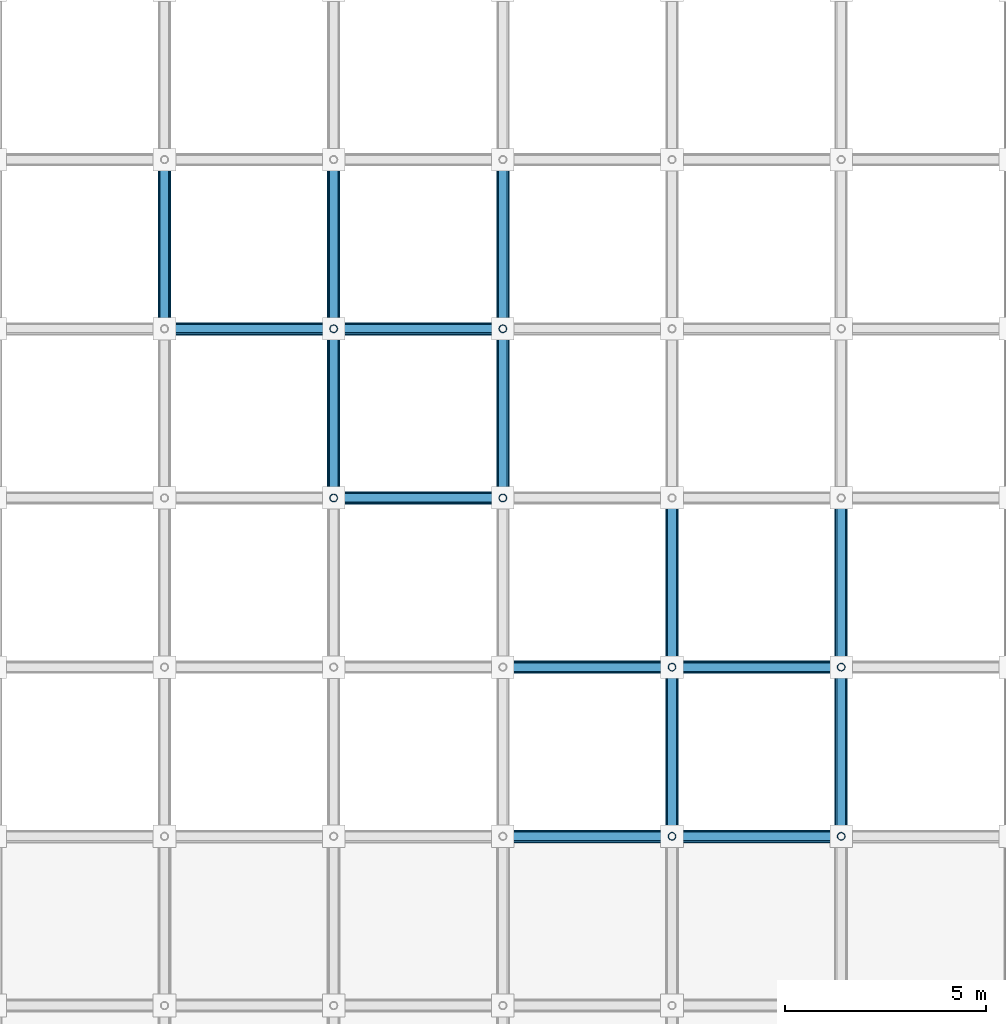
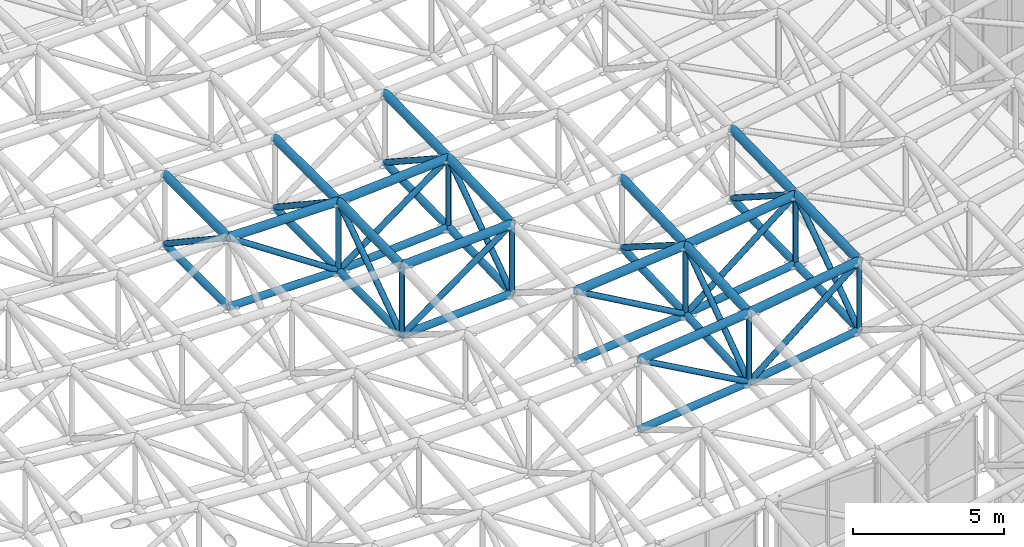
# One storey, part 19 of 93: 56 members.
"""IFC4 building model written with IfcOpenShell, lengths in metres."""

from ifc_helpers import new_model, si_unit, direction, frame, origin, origin_2d, place, context, subcontext, project, spatial, hollow_circle, extrude, material, material_profile, profile_set, type_object, element, save


model = new_model("IFC4")

# Units and contexts
model_context = context("Model", 3, precision=1e-05, world=origin(), true_north=direction((0.0, 1.0)))
body_context = subcontext(model_context, "Body", "Model", "MODEL_VIEW")
ifc_project = project(units=[si_unit("LENGTHUNIT", "METRE"), si_unit("AREAUNIT", "SQUARE_METRE"), si_unit("VOLUMEUNIT", "CUBIC_METRE"), si_unit("PLANEANGLEUNIT", "RADIAN"), si_unit("MASSUNIT", "GRAM", prefix="KILO")], contexts=[model_context])

# Site, building, storey
site_placement = place(None, origin())
site = spatial("IfcSite", under=ifc_project, at=site_placement, CompositionType="ELEMENT")
building_placement = place(site_placement, origin())
building = spatial("IfcBuilding", under=site, at=building_placement, Name="Cumbredor Promenade Congress Hotel", CompositionType="ELEMENT")
storey_placement = place(building_placement, frame((0.0, 0.0, 21.840087890625)))
storey = spatial("IfcBuildingStorey", under=building, at=storey_placement, Name="L06", CompositionType="ELEMENT", Elevation=21.840087890625)

# Members
ifc_material = material(Name="Steel ASTM A500 Grade C", Category="steel")
ifc_material_profile_1 = material_profile(ifc_material, hollow_circle(Radius=0.136474609375, WallThickness=0.01611328125, at=origin_2d()), Name="CHS 273.0x16")
ifc_profile_set_1 = profile_set([ifc_material_profile_1], Name="Steel ASTM A500 Grade C")
member_type_1 = type_object("IfcMemberType", Name="Plenary Roof Space Frame Bottom Chord", PredefinedType="CHORD", material=ifc_profile_set_1)
member_1_placement = place(storey_placement, frame((42.0, 16.800048828125, 7.62109375), z_axis=(0.99446833023, 0.0, 0.105036851481), x_axis=(0.0, 1.0, 0.0)))
element("IfcMember", 1, at=member_1_placement, inside=storey, type_object=member_type_1, Name="Plenary Congress Hall X Bottom Chord 12.5", PredefinedType="CHORD", context=body_context, shape_type="SweptSolid", body=[
    extrude(hollow_circle(Radius=0.136474609375, WallThickness=0.01611328125, at=origin_2d()), origin(), (0.0, 0.0, 1.0), 4.223388671875),
])
member_2_placement = place(storey_placement, frame((46.199951171875, 16.800048828125, 8.064697265625), z_axis=(0.989250033401, 0.0, 0.146233961224), x_axis=(0.0, 1.0, 0.0)))
element("IfcMember", 2, at=member_2_placement, inside=storey, type_object=member_type_1, Name="Plenary Congress Hall X Bottom Chord 13.5", PredefinedType="CHORD", context=body_context, shape_type="SweptSolid", body=[
    extrude(hollow_circle(Radius=0.136474609375, WallThickness=0.01611328125, at=origin_2d()), origin(), (0.0, 0.0, 1.0), 4.24560546875),
])
member_3_placement = place(storey_placement, frame((42.0, 21.0, 7.85400390625), z_axis=(0.995448277851, 0.0, 0.095303337419), x_axis=(0.0, 1.0, 0.0)))
element("IfcMember", 3, at=member_3_placement, inside=storey, type_object=member_type_1, Name="Plenary Congress Hall X Bottom Chord 12.6", PredefinedType="CHORD", context=body_context, shape_type="SweptSolid", body=[
    extrude(hollow_circle(Radius=0.136474609375, WallThickness=0.01611328125, at=origin_2d()), origin(), (0.0, 0.0, 1.0), 4.21923828125),
])
member_4_placement = place(storey_placement, frame((46.199951171875, 21.0, 8.256103515625), z_axis=(0.991135072385, 0.0, 0.132858075738), x_axis=(0.0, 1.0, 0.0)))
element("IfcMember", 4, at=member_4_placement, inside=storey, type_object=member_type_1, Name="Plenary Congress Hall X Bottom Chord 13.6", PredefinedType="CHORD", context=body_context, shape_type="SweptSolid", body=[
    extrude(hollow_circle(Radius=0.136474609375, WallThickness=0.01611328125, at=origin_2d()), origin(), (0.0, 0.0, 1.0), 4.237548828125),
])
member_5_placement = place(storey_placement, frame((37.800048828125, 25.199951171875, 7.80615234375), z_axis=(0.998597712555, 0.0, 0.052939668305), x_axis=(0.0, 1.0, 0.0)))
element("IfcMember", 5, at=member_5_placement, inside=storey, type_object=member_type_1, Name="Plenary Congress Hall X Bottom Chord 11.7", PredefinedType="CHORD", context=body_context, shape_type="SweptSolid", body=[
    extrude(hollow_circle(Radius=0.136474609375, WallThickness=0.01611328125, at=origin_2d()), origin(), (0.0, 0.0, 1.0), 4.205810546875),
])
member_6_placement = place(storey_placement, frame((33.60009765625, 29.39990234375, 7.864990234375), z_axis=(0.999999993242, 0.0, -0.000116258791), x_axis=(0.0, 1.0, 0.0)))
element("IfcMember", 6, at=member_6_placement, inside=storey, type_object=member_type_1, Name="Plenary Congress Hall X Bottom Chord 10.8", PredefinedType="CHORD", context=body_context, shape_type="SweptSolid", body=[
    extrude(hollow_circle(Radius=0.136474609375, WallThickness=0.01611328125, at=origin_2d()), origin(), (0.0, 0.0, 1.0), 4.199951171875),
])
member_7_placement = place(storey_placement, frame((37.800048828125, 29.39990234375, 7.864501953125), z_axis=(0.997776937839, 0.0, 0.06664219622), x_axis=(0.0, 1.0, 0.0)))
element("IfcMember", 7, at=member_7_placement, inside=storey, type_object=member_type_1, Name="Plenary Congress Hall X Bottom Chord 11.8", PredefinedType="CHORD", context=body_context, shape_type="SweptSolid", body=[
    extrude(hollow_circle(Radius=0.136474609375, WallThickness=0.01611328125, at=origin_2d()), origin(), (0.0, 0.0, 1.0), 4.209228515625),
])
member_8_placement = place(storey_placement, frame((33.60009765625, 29.39990234375, 7.864990234375), z_axis=(0.0, 0.999999998311, 5.8126017e-05), x_axis=(-1.0, 0.0, 0.0)))
element("IfcMember", 8, at=member_8_placement, inside=storey, type_object=member_type_1, Name="Plenary Congress Hall Y Bottom Chord 10.8", PredefinedType="CHORD", context=body_context, shape_type="SweptSolid", body=[
    extrude(hollow_circle(Radius=0.136474609375, WallThickness=0.01611328125, at=origin_2d()), origin(), (0.0, 0.0, 1.0), 4.2001953125),
])
member_9_placement = place(storey_placement, frame((37.800048828125, 25.199951171875, 7.80615234375), z_axis=(0.0, 0.999903507276, 0.013891585086), x_axis=(-1.0, 0.0, 0.0)))
element("IfcMember", 9, at=member_9_placement, inside=storey, type_object=member_type_1, Name="Plenary Congress Hall Y Bottom Chord 11.7", PredefinedType="CHORD", context=body_context, shape_type="SweptSolid", body=[
    extrude(hollow_circle(Radius=0.136474609375, WallThickness=0.01611328125, at=origin_2d()), origin(), (0.0, 0.0, 1.0), 4.200439453125),
])
member_10_placement = place(storey_placement, frame((37.800048828125, 29.39990234375, 7.864501953125), z_axis=(0.0, 1.0, 0.0), x_axis=(-1.0, 0.0, 0.0)))
element("IfcMember", 10, at=member_10_placement, inside=storey, type_object=member_type_1, Name="Plenary Congress Hall Y Bottom Chord 11.8", PredefinedType="CHORD", context=body_context, shape_type="SweptSolid", body=[
    extrude(hollow_circle(Radius=0.136474609375, WallThickness=0.01611328125, at=origin_2d()), origin(), (0.0, 0.0, 1.0), 4.2001953125),
])
member_11_placement = place(storey_placement, frame((42.0, 25.199951171875, 8.02880859375), z_axis=(0.0, 0.999617416492, 0.027659006583), x_axis=(-1.0, 0.0, 0.0)))
element("IfcMember", 11, at=member_11_placement, inside=storey, type_object=member_type_1, Name="Plenary Congress Hall Y Bottom Chord 12.7", PredefinedType="CHORD", context=body_context, shape_type="SweptSolid", body=[
    extrude(hollow_circle(Radius=0.136474609375, WallThickness=0.01611328125, at=origin_2d()), origin(), (0.0, 0.0, 1.0), 4.20166015625),
])
member_12_placement = place(storey_placement, frame((42.0, 29.39990234375, 8.14501953125), z_axis=(0.0, 0.999903518492, 0.01389077778), x_axis=(-1.0, 0.0, 0.0)))
element("IfcMember", 12, at=member_12_placement, inside=storey, type_object=member_type_1, Name="Plenary Congress Hall Y Bottom Chord 12.8", PredefinedType="CHORD", context=body_context, shape_type="SweptSolid", body=[
    extrude(hollow_circle(Radius=0.136474609375, WallThickness=0.01611328125, at=origin_2d()), origin(), (0.0, 0.0, 1.0), 4.20068359375),
])
member_13_placement = place(storey_placement, frame((46.199951171875, 16.800048828125, 8.064697265625), z_axis=(0.0, 0.998963145321, 0.045526193451), x_axis=(-1.0, 0.0, 0.0)))
element("IfcMember", 13, at=member_13_placement, inside=storey, type_object=member_type_1, Name="Plenary Congress Hall Y Bottom Chord 13.5", PredefinedType="CHORD", context=body_context, shape_type="SweptSolid", body=[
    extrude(hollow_circle(Radius=0.136474609375, WallThickness=0.01611328125, at=origin_2d()), origin(), (0.0, 0.0, 1.0), 4.204345703125),
])
member_14_placement = place(storey_placement, frame((46.199951171875, 21.0, 8.256103515625), z_axis=(0.0, 0.999416372229, 0.034160136422), x_axis=(-1.0, 0.0, 0.0)))
element("IfcMember", 14, at=member_14_placement, inside=storey, type_object=member_type_1, Name="Plenary Congress Hall Y Bottom Chord 13.6", PredefinedType="CHORD", context=body_context, shape_type="SweptSolid", body=[
    extrude(hollow_circle(Radius=0.136474609375, WallThickness=0.01611328125, at=origin_2d()), origin(), (0.0, 0.0, 1.0), 4.202392578125),
])
member_15_placement = place(storey_placement, frame((50.39990234375, 16.800048828125, 8.685546875), z_axis=(0.0, 0.999494865402, 0.031780717978), x_axis=(-1.0, 0.0, 0.0)))
element("IfcMember", 15, at=member_15_placement, inside=storey, type_object=member_type_1, Name="Plenary Congress Hall Y Bottom Chord 14.5", PredefinedType="CHORD", context=body_context, shape_type="SweptSolid", body=[
    extrude(hollow_circle(Radius=0.136474609375, WallThickness=0.01611328125, at=origin_2d()), origin(), (0.0, 0.0, 1.0), 4.2021484375),
])
member_16_placement = place(storey_placement, frame((50.39990234375, 21.0, 8.819091796875), z_axis=(0.0, 0.99971611374, 0.023826286498), x_axis=(-1.0, 0.0, 0.0)))
element("IfcMember", 16, at=member_16_placement, inside=storey, type_object=member_type_1, Name="Plenary Congress Hall Y Bottom Chord 14.6", PredefinedType="CHORD", context=body_context, shape_type="SweptSolid", body=[
    extrude(hollow_circle(Radius=0.136474609375, WallThickness=0.01611328125, at=origin_2d()), origin(), (0.0, 0.0, 1.0), 4.201171875),
])
ifc_material_profile_2 = material_profile(ifc_material, hollow_circle(Radius=0.161865234375, WallThickness=0.01611328125, at=origin_2d()), Name="CHS 323.9x16")
ifc_profile_set_2 = profile_set([ifc_material_profile_2], Name="Steel ASTM A500 Grade C")
member_type_2 = type_object("IfcMemberType", Name="Plenary Roof Space Frame Top Chord", PredefinedType="CHORD", material=ifc_profile_set_2)
member_17_placement = place(storey_placement, frame((42.0, 16.800048828125, 10.421142578125), z_axis=(0.994474366989, 0.0, 0.104979680896), x_axis=(0.0, 1.0, 0.0)))
element("IfcMember", 17, at=member_17_placement, inside=storey, type_object=member_type_2, Name="Plenary Congress Hall X Top Chord 12.5", PredefinedType="CHORD", context=body_context, shape_type="SweptSolid", body=[
    extrude(hollow_circle(Radius=0.161865234375, WallThickness=0.01611328125, at=origin_2d()), origin(), (0.0, 0.0, 1.0), 4.223388671875),
])
member_18_placement = place(storey_placement, frame((46.199951171875, 16.800048828125, 10.864501953125), z_axis=(0.989241713157, 0.0, 0.146290235324), x_axis=(0.0, 1.0, 0.0)))
element("IfcMember", 18, at=member_18_placement, inside=storey, type_object=member_type_2, Name="Plenary Congress Hall X Top Chord 13.5", PredefinedType="CHORD", context=body_context, shape_type="SweptSolid", body=[
    extrude(hollow_circle(Radius=0.161865234375, WallThickness=0.01611328125, at=origin_2d()), origin(), (0.0, 0.0, 1.0), 4.24560546875),
])
member_19_placement = place(storey_placement, frame((42.0, 21.0, 10.654052734375), z_axis=(0.995453765838, 0.0, 0.095245997708), x_axis=(0.0, 1.0, 0.0)))
element("IfcMember", 19, at=member_19_placement, inside=storey, type_object=member_type_2, Name="Plenary Congress Hall X Top Chord 12.6", PredefinedType="CHORD", context=body_context, shape_type="SweptSolid", body=[
    extrude(hollow_circle(Radius=0.161865234375, WallThickness=0.01611328125, at=origin_2d()), origin(), (0.0, 0.0, 1.0), 4.21923828125),
])
member_20_placement = place(storey_placement, frame((46.199951171875, 21.0, 11.055908203125), z_axis=(0.991127484187, 0.0, 0.13291467221), x_axis=(0.0, 1.0, 0.0)))
element("IfcMember", 20, at=member_20_placement, inside=storey, type_object=member_type_2, Name="Plenary Congress Hall X Top Chord 13.6", PredefinedType="CHORD", context=body_context, shape_type="SweptSolid", body=[
    extrude(hollow_circle(Radius=0.161865234375, WallThickness=0.01611328125, at=origin_2d()), origin(), (0.0, 0.0, 1.0), 4.237548828125),
])
member_21_placement = place(storey_placement, frame((37.800048828125, 25.199951171875, 10.606201171875), z_axis=(0.998600779613, 0.0, 0.052881782842), x_axis=(0.0, 1.0, 0.0)))
element("IfcMember", 21, at=member_21_placement, inside=storey, type_object=member_type_2, Name="Plenary Congress Hall X Top Chord 11.7", PredefinedType="CHORD", context=body_context, shape_type="SweptSolid", body=[
    extrude(hollow_circle(Radius=0.161865234375, WallThickness=0.01611328125, at=origin_2d()), origin(), (0.0, 0.0, 1.0), 4.205810546875),
])
member_22_placement = place(storey_placement, frame((33.60009765625, 29.39990234375, 10.6650390625), z_axis=(0.999999993242, 0.0, -0.000116258791), x_axis=(0.0, 1.0, 0.0)))
element("IfcMember", 22, at=member_22_placement, inside=storey, type_object=member_type_2, Name="Plenary Congress Hall X Top Chord 10.8", PredefinedType="CHORD", context=body_context, shape_type="SweptSolid", body=[
    extrude(hollow_circle(Radius=0.161865234375, WallThickness=0.01611328125, at=origin_2d()), origin(), (0.0, 0.0, 1.0), 4.199951171875),
])
member_23_placement = place(storey_placement, frame((37.800048828125, 29.39990234375, 10.66455078125), z_axis=(0.997776937839, 0.0, 0.06664219622), x_axis=(0.0, 1.0, 0.0)))
element("IfcMember", 23, at=member_23_placement, inside=storey, type_object=member_type_2, Name="Plenary Congress Hall X Top Chord 11.8", PredefinedType="CHORD", context=body_context, shape_type="SweptSolid", body=[
    extrude(hollow_circle(Radius=0.161865234375, WallThickness=0.01611328125, at=origin_2d()), origin(), (0.0, 0.0, 1.0), 4.209228515625),
])
member_24_placement = place(storey_placement, frame((33.60009765625, 29.39990234375, 10.6650390625), z_axis=(0.0, 0.999999998311, 5.8126017e-05), x_axis=(-1.0, 0.0, 0.0)))
element("IfcMember", 24, at=member_24_placement, inside=storey, type_object=member_type_2, Name="Plenary Congress Hall Y Top Chord 10.8", PredefinedType="CHORD", context=body_context, shape_type="SweptSolid", body=[
    extrude(hollow_circle(Radius=0.161865234375, WallThickness=0.01611328125, at=origin_2d()), origin(), (0.0, 0.0, 1.0), 4.2001953125),
])
member_25_placement = place(storey_placement, frame((37.800048828125, 25.199951171875, 10.606201171875), z_axis=(0.0, 0.999903507276, 0.013891585086), x_axis=(-1.0, 0.0, 0.0)))
element("IfcMember", 25, at=member_25_placement, inside=storey, type_object=member_type_2, Name="Plenary Congress Hall Y Top Chord 11.7", PredefinedType="CHORD", context=body_context, shape_type="SweptSolid", body=[
    extrude(hollow_circle(Radius=0.161865234375, WallThickness=0.01611328125, at=origin_2d()), origin(), (0.0, 0.0, 1.0), 4.200439453125),
])
member_26_placement = place(storey_placement, frame((37.800048828125, 29.39990234375, 10.66455078125), z_axis=(0.0, 1.0, 0.0), x_axis=(-1.0, 0.0, 0.0)))
element("IfcMember", 26, at=member_26_placement, inside=storey, type_object=member_type_2, Name="Plenary Congress Hall Y Top Chord 11.8", PredefinedType="CHORD", context=body_context, shape_type="SweptSolid", body=[
    extrude(hollow_circle(Radius=0.161865234375, WallThickness=0.01611328125, at=origin_2d()), origin(), (0.0, 0.0, 1.0), 4.2001953125),
])
member_27_placement = place(storey_placement, frame((42.0, 25.199951171875, 10.82861328125), z_axis=(0.0, 0.999615808237, 0.027717069147), x_axis=(-1.0, 0.0, 0.0)))
element("IfcMember", 27, at=member_27_placement, inside=storey, type_object=member_type_2, Name="Plenary Congress Hall Y Top Chord 12.7", PredefinedType="CHORD", context=body_context, shape_type="SweptSolid", body=[
    extrude(hollow_circle(Radius=0.161865234375, WallThickness=0.01611328125, at=origin_2d()), origin(), (0.0, 0.0, 1.0), 4.20166015625),
])
member_28_placement = place(storey_placement, frame((42.0, 29.39990234375, 10.945068359375), z_axis=(0.0, 0.999903518492, 0.01389077778), x_axis=(-1.0, 0.0, 0.0)))
element("IfcMember", 28, at=member_28_placement, inside=storey, type_object=member_type_2, Name="Plenary Congress Hall Y Top Chord 12.8", PredefinedType="CHORD", context=body_context, shape_type="SweptSolid", body=[
    extrude(hollow_circle(Radius=0.161865234375, WallThickness=0.01611328125, at=origin_2d()), origin(), (0.0, 0.0, 1.0), 4.20068359375),
])
member_29_placement = place(storey_placement, frame((46.199951171875, 16.800048828125, 10.864501953125), z_axis=(0.0, 0.998963145321, 0.045526193451), x_axis=(-1.0, 0.0, 0.0)))
element("IfcMember", 29, at=member_29_placement, inside=storey, type_object=member_type_2, Name="Plenary Congress Hall Y Top Chord 13.5", PredefinedType="CHORD", context=body_context, shape_type="SweptSolid", body=[
    extrude(hollow_circle(Radius=0.161865234375, WallThickness=0.01611328125, at=origin_2d()), origin(), (0.0, 0.0, 1.0), 4.204345703125),
])
member_30_placement = place(storey_placement, frame((46.199951171875, 21.0, 11.055908203125), z_axis=(0.0, 0.999414387158, 0.034218163927), x_axis=(-1.0, 0.0, 0.0)))
element("IfcMember", 30, at=member_30_placement, inside=storey, type_object=member_type_2, Name="Plenary Congress Hall Y Top Chord 13.6", PredefinedType="CHORD", context=body_context, shape_type="SweptSolid", body=[
    extrude(hollow_circle(Radius=0.161865234375, WallThickness=0.01611328125, at=origin_2d()), origin(), (0.0, 0.0, 1.0), 4.202392578125),
])
member_31_placement = place(storey_placement, frame((50.39990234375, 16.800048828125, 11.485595703125), z_axis=(0.0, 0.999494865402, 0.031780717978), x_axis=(-1.0, 0.0, 0.0)))
element("IfcMember", 31, at=member_31_placement, inside=storey, type_object=member_type_2, Name="Plenary Congress Hall Y Top Chord 14.5", PredefinedType="CHORD", context=body_context, shape_type="SweptSolid", body=[
    extrude(hollow_circle(Radius=0.161865234375, WallThickness=0.01611328125, at=origin_2d()), origin(), (0.0, 0.0, 1.0), 4.2021484375),
])
member_32_placement = place(storey_placement, frame((50.39990234375, 21.0, 11.619140625), z_axis=(0.0, 0.999717496276, 0.023768206474), x_axis=(-1.0, 0.0, 0.0)))
element("IfcMember", 32, at=member_32_placement, inside=storey, type_object=member_type_2, Name="Plenary Congress Hall Y Top Chord 14.6", PredefinedType="CHORD", context=body_context, shape_type="SweptSolid", body=[
    extrude(hollow_circle(Radius=0.161865234375, WallThickness=0.01611328125, at=origin_2d()), origin(), (0.0, 0.0, 1.0), 4.201171875),
])
ifc_material_profile_3 = material_profile(ifc_material, hollow_circle(Radius=0.109619140625, WallThickness=0.012451171875, at=origin_2d()), Name="CHS 219.1x12.5")
ifc_profile_set_3 = profile_set([ifc_material_profile_3], Name="Steel ASTM A500 Grade C")
member_type_3 = type_object("IfcMemberType", Name="Space Frame Web Diagonal D1", PredefinedType="BRACE", material=ifc_profile_set_3)
member_33_placement = place(storey_placement, frame((42.0, 16.800048828125, 10.421142578125), z_axis=(0.872109800473, 0.0, -0.489310224622), x_axis=(0.0, 1.0, 0.0)))
element("IfcMember", 33, at=member_33_placement, inside=storey, type_object=member_type_3, Name="Plenary Congress Hall X Web Diagonal 12.5", PredefinedType="BRACE", context=body_context, shape_type="SweptSolid", body=[
    extrude(hollow_circle(Radius=0.109619140625, WallThickness=0.012451171875, at=origin_2d()), origin(), (0.0, 0.0, 1.0), 4.81591796875),
])
member_34_placement = place(storey_placement, frame((46.199951171875, 16.800048828125, 8.064697265625), z_axis=(0.775351048957, 0.0, 0.631530482939), x_axis=(0.0, 1.0, 0.0)))
element("IfcMember", 34, at=member_34_placement, inside=storey, type_object=member_type_3, Name="Plenary Congress Hall X Web Diagonal 13.5", PredefinedType="BRACE", context=body_context, shape_type="SweptSolid", body=[
    extrude(hollow_circle(Radius=0.109619140625, WallThickness=0.012451171875, at=origin_2d()), origin(), (0.0, 0.0, 1.0), 5.416748046875),
])
member_35_placement = place(storey_placement, frame((42.0, 21.0, 10.654052734375), z_axis=(0.868423262922, 0.0, -0.495823594049), x_axis=(0.0, 1.0, 0.0)))
element("IfcMember", 35, at=member_35_placement, inside=storey, type_object=member_type_3, Name="Plenary Congress Hall X Web Diagonal 12.6", PredefinedType="BRACE", context=body_context, shape_type="SweptSolid", body=[
    extrude(hollow_circle(Radius=0.109619140625, WallThickness=0.012451171875, at=origin_2d()), origin(), (0.0, 0.0, 1.0), 4.836181640625),
])
member_36_placement = place(storey_placement, frame((46.199951171875, 21.0, 8.256103515625), z_axis=(0.780589840053, 0.0, 0.625043599764), x_axis=(0.0, 1.0, 0.0)))
element("IfcMember", 36, at=member_36_placement, inside=storey, type_object=member_type_3, Name="Plenary Congress Hall X Web Diagonal 13.6", PredefinedType="BRACE", context=body_context, shape_type="SweptSolid", body=[
    extrude(hollow_circle(Radius=0.109619140625, WallThickness=0.012451171875, at=origin_2d()), origin(), (0.0, 0.0, 1.0), 5.38037109375),
])
member_37_placement = place(storey_placement, frame((37.800048828125, 25.199951171875, 7.80615234375), z_axis=(0.81167213609, 0.0, 0.584113296797), x_axis=(0.0, 1.0, 0.0)))
element("IfcMember", 37, at=member_37_placement, inside=storey, type_object=member_type_3, Name="Plenary Congress Hall X Web Diagonal 11.7", PredefinedType="BRACE", context=body_context, shape_type="SweptSolid", body=[
    extrude(hollow_circle(Radius=0.109619140625, WallThickness=0.012451171875, at=origin_2d()), origin(), (0.0, 0.0, 1.0), 5.174560546875),
])
member_38_placement = place(storey_placement, frame((33.60009765625, 29.39990234375, 10.6650390625), z_axis=(0.831998206843, 0.0, -0.55477831952), x_axis=(0.0, 1.0, 0.0)))
element("IfcMember", 38, at=member_38_placement, inside=storey, type_object=member_type_3, Name="Plenary Congress Hall X Web Diagonal 10.8", PredefinedType="BRACE", context=body_context, shape_type="SweptSolid", body=[
    extrude(hollow_circle(Radius=0.109619140625, WallThickness=0.012451171875, at=origin_2d()), origin(), (0.0, 0.0, 1.0), 5.048095703125),
])
member_39_placement = place(storey_placement, frame((37.800048828125, 29.39990234375, 7.864501953125), z_axis=(0.806349856049, 0.0, 0.591438846923), x_axis=(0.0, 1.0, 0.0)))
element("IfcMember", 39, at=member_39_placement, inside=storey, type_object=member_type_3, Name="Plenary Congress Hall X Web Diagonal 11.8", PredefinedType="BRACE", context=body_context, shape_type="SweptSolid", body=[
    extrude(hollow_circle(Radius=0.109619140625, WallThickness=0.012451171875, at=origin_2d()), origin(), (0.0, 0.0, 1.0), 5.20849609375),
])
member_40_placement = place(storey_placement, frame((33.60009765625, 29.39990234375, 10.6650390625), z_axis=(0.0, 0.832080056525, -0.55465555035), x_axis=(-1.0, 0.0, 0.0)))
element("IfcMember", 40, at=member_40_placement, inside=storey, type_object=member_type_3, Name="Plenary Congress Hall Y Web Diagonal 10.8", PredefinedType="BRACE", context=body_context, shape_type="SweptSolid", body=[
    extrude(hollow_circle(Radius=0.109619140625, WallThickness=0.012451171875, at=origin_2d()), origin(), (0.0, 0.0, 1.0), 5.0478515625),
])
member_41_placement = place(storey_placement, frame((37.800048828125, 25.199951171875, 7.80615234375), z_axis=(0.0, 0.826703876917, 0.562637272042), x_axis=(-1.0, 0.0, 0.0)))
element("IfcMember", 41, at=member_41_placement, inside=storey, type_object=member_type_3, Name="Plenary Congress Hall Y Web Diagonal 11.7", PredefinedType="BRACE", context=body_context, shape_type="SweptSolid", body=[
    extrude(hollow_circle(Radius=0.109619140625, WallThickness=0.012451171875, at=origin_2d()), origin(), (0.0, 0.0, 1.0), 5.080322265625),
])
member_42_placement = place(storey_placement, frame((37.800048828125, 29.39990234375, 10.66455078125), z_axis=(0.0, 0.832057734909, -0.554689035206), x_axis=(-1.0, 0.0, 0.0)))
element("IfcMember", 42, at=member_42_placement, inside=storey, type_object=member_type_3, Name="Plenary Congress Hall Y Web Diagonal 11.8", PredefinedType="BRACE", context=body_context, shape_type="SweptSolid", body=[
    extrude(hollow_circle(Radius=0.109619140625, WallThickness=0.012451171875, at=origin_2d()), origin(), (0.0, 0.0, 1.0), 5.0478515625),
])
member_43_placement = place(storey_placement, frame((42.0, 25.199951171875, 8.02880859375), z_axis=(0.0, 0.821404140734, 0.570346594261), x_axis=(-1.0, 0.0, 0.0)))
element("IfcMember", 43, at=member_43_placement, inside=storey, type_object=member_type_3, Name="Plenary Congress Hall Y Web Diagonal 12.7", PredefinedType="BRACE", context=body_context, shape_type="SweptSolid", body=[
    extrude(hollow_circle(Radius=0.109619140625, WallThickness=0.012451171875, at=origin_2d()), origin(), (0.0, 0.0, 1.0), 5.113037109375),
])
member_44_placement = place(storey_placement, frame((42.0, 29.39990234375, 10.945068359375), z_axis=(0.0, 0.837387814541, -0.54660922793), x_axis=(-1.0, 0.0, 0.0)))
element("IfcMember", 44, at=member_44_placement, inside=storey, type_object=member_type_3, Name="Plenary Congress Hall Y Web Diagonal 12.8", PredefinedType="BRACE", context=body_context, shape_type="SweptSolid", body=[
    extrude(hollow_circle(Radius=0.109619140625, WallThickness=0.012451171875, at=origin_2d()), origin(), (0.0, 0.0, 1.0), 5.015869140625),
])
member_45_placement = place(storey_placement, frame((46.199951171875, 16.800048828125, 8.064697265625), z_axis=(0.0, 0.814535699065, 0.580113432829), x_axis=(-1.0, 0.0, 0.0)))
element("IfcMember", 45, at=member_45_placement, inside=storey, type_object=member_type_3, Name="Plenary Congress Hall Y Web Diagonal 13.5", PredefinedType="BRACE", context=body_context, shape_type="SweptSolid", body=[
    extrude(hollow_circle(Radius=0.109619140625, WallThickness=0.012451171875, at=origin_2d()), origin(), (0.0, 0.0, 1.0), 5.15625),
])
member_46_placement = place(storey_placement, frame((46.199951171875, 21.0, 11.055908203125), z_axis=(0.0, 0.845157195809, -0.534517833541), x_axis=(-1.0, 0.0, 0.0)))
element("IfcMember", 46, at=member_46_placement, inside=storey, type_object=member_type_3, Name="Plenary Congress Hall Y Web Diagonal 13.6", PredefinedType="BRACE", context=body_context, shape_type="SweptSolid", body=[
    extrude(hollow_circle(Radius=0.109619140625, WallThickness=0.012451171875, at=origin_2d()), origin(), (0.0, 0.0, 1.0), 4.969482421875),
])
member_47_placement = place(storey_placement, frame((50.39990234375, 16.800048828125, 8.685546875), z_axis=(0.0, 0.819815833571, 0.572627277579), x_axis=(-1.0, 0.0, 0.0)))
element("IfcMember", 47, at=member_47_placement, inside=storey, type_object=member_type_3, Name="Plenary Congress Hall Y Web Diagonal 14.5", PredefinedType="BRACE", context=body_context, shape_type="SweptSolid", body=[
    extrude(hollow_circle(Radius=0.109619140625, WallThickness=0.012451171875, at=origin_2d()), origin(), (0.0, 0.0, 1.0), 5.123046875),
])
member_48_placement = place(storey_placement, frame((50.39990234375, 21.0, 11.619140625), z_axis=(0.0, 0.841180064094, -0.540755119968), x_axis=(-1.0, 0.0, 0.0)))
element("IfcMember", 48, at=member_48_placement, inside=storey, type_object=member_type_3, Name="Plenary Congress Hall Y Web Diagonal 14.6", PredefinedType="BRACE", context=body_context, shape_type="SweptSolid", body=[
    extrude(hollow_circle(Radius=0.109619140625, WallThickness=0.012451171875, at=origin_2d()), origin(), (0.0, 0.0, 1.0), 4.992919921875),
])
ifc_material_profile_4 = material_profile(ifc_material, hollow_circle(Radius=0.096923828125, WallThickness=0.010009765625, at=origin_2d()), Name="CHS 193.7x10")
ifc_profile_set_4 = profile_set([ifc_material_profile_4], Name="Steel ASTM A500 Grade C")
member_type_4 = type_object("IfcMemberType", Name="Space Frame Web Post P1", PredefinedType="BRACE", material=ifc_profile_set_4)
for number, where, z_axis, x_axis, name in (
    (49, (37.800048828125, 25.199951171875, 7.80615234375), (0.0, 0.0, 1.0), (1.0, 0.0, 0.0), "Plenary Congress Hall Space Frame Web Post 11.7"),
    (50, (37.800048828125, 29.39990234375, 7.864501953125), (0.0, 0.0, 1.0), (1.0, 0.0, 0.0), "Plenary Congress Hall Space Frame Web Post 11.8"),
):
    element("IfcMember", number, at=place(storey_placement, frame(where, z_axis=z_axis, x_axis=x_axis)), inside=storey, type_object=member_type_4, Name=name, PredefinedType="BRACE", context=body_context, shape_type="SweptSolid", body=[
        extrude(hollow_circle(Radius=0.096923828125, WallThickness=0.010009765625, at=origin_2d()), origin(), (0.0, 0.0, 1.0), 2.800048828125),
    ])
member_49_placement = place(storey_placement, frame((42.0, 25.199951171875, 8.02880859375), z_axis=(0.0, 0.0, 1.0), x_axis=(1.0, 0.0, 0.0)))
element("IfcMember", 51, at=member_49_placement, inside=storey, type_object=member_type_4, Name="Plenary Congress Hall Space Frame Web Post 12.7", PredefinedType="BRACE", context=body_context, shape_type="SweptSolid", body=[
    extrude(hollow_circle(Radius=0.096923828125, WallThickness=0.010009765625, at=origin_2d()), origin(), (0.0, 0.0, 1.0), 2.7998046875),
])
member_50_placement = place(storey_placement, frame((42.0, 29.39990234375, 8.14501953125), z_axis=(0.0, 0.0, 1.0), x_axis=(1.0, 0.0, 0.0)))
element("IfcMember", 52, at=member_50_placement, inside=storey, type_object=member_type_4, Name="Plenary Congress Hall Space Frame Web Post 12.8", PredefinedType="BRACE", context=body_context, shape_type="SweptSolid", body=[
    extrude(hollow_circle(Radius=0.096923828125, WallThickness=0.010009765625, at=origin_2d()), origin(), (0.0, 0.0, 1.0), 2.800048828125),
])
for number, where, z_axis, x_axis, name in (
    (53, (46.199951171875, 16.800048828125, 8.064697265625), (0.0, 0.0, 1.0), (1.0, 0.0, 0.0), "Plenary Congress Hall Space Frame Web Post 13.5"),
    (54, (46.199951171875, 21.0, 8.256103515625), (0.0, 0.0, 1.0), (1.0, 0.0, 0.0), "Plenary Congress Hall Space Frame Web Post 13.6"),
):
    element("IfcMember", number, at=place(storey_placement, frame(where, z_axis=z_axis, x_axis=x_axis)), inside=storey, type_object=member_type_4, Name=name, PredefinedType="BRACE", context=body_context, shape_type="SweptSolid", body=[
        extrude(hollow_circle(Radius=0.096923828125, WallThickness=0.010009765625, at=origin_2d()), origin(), (0.0, 0.0, 1.0), 2.7998046875),
    ])
for number, where, z_axis, x_axis, name in (
    (55, (50.39990234375, 16.800048828125, 8.685546875), (0.0, 0.0, 1.0), (1.0, 0.0, 0.0), "Plenary Congress Hall Space Frame Web Post 14.5"),
    (56, (50.39990234375, 21.0, 8.819091796875), (0.0, 0.0, 1.0), (1.0, 0.0, 0.0), "Plenary Congress Hall Space Frame Web Post 14.6"),
):
    element("IfcMember", number, at=place(storey_placement, frame(where, z_axis=z_axis, x_axis=x_axis)), inside=storey, type_object=member_type_4, Name=name, PredefinedType="BRACE", context=body_context, shape_type="SweptSolid", body=[
        extrude(hollow_circle(Radius=0.096923828125, WallThickness=0.010009765625, at=origin_2d()), origin(), (0.0, 0.0, 1.0), 2.800048828125),
    ])

save(model, "model.ifc")
